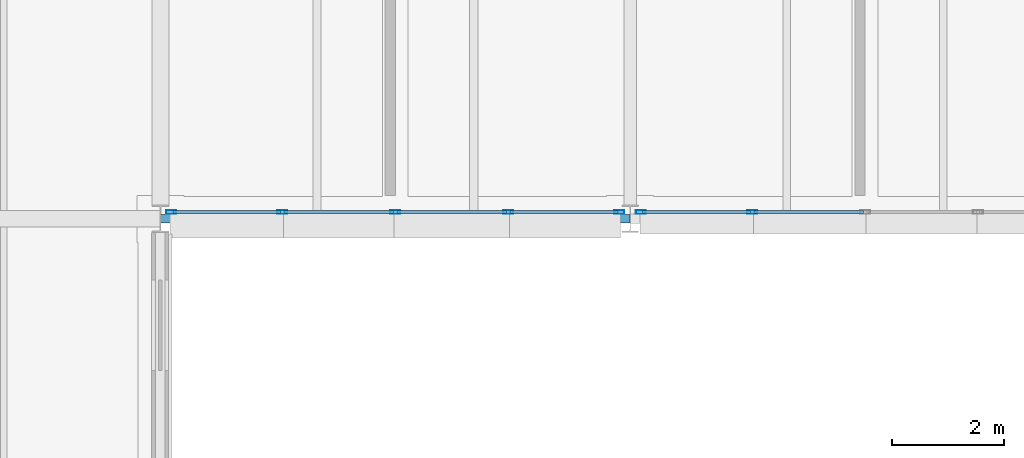
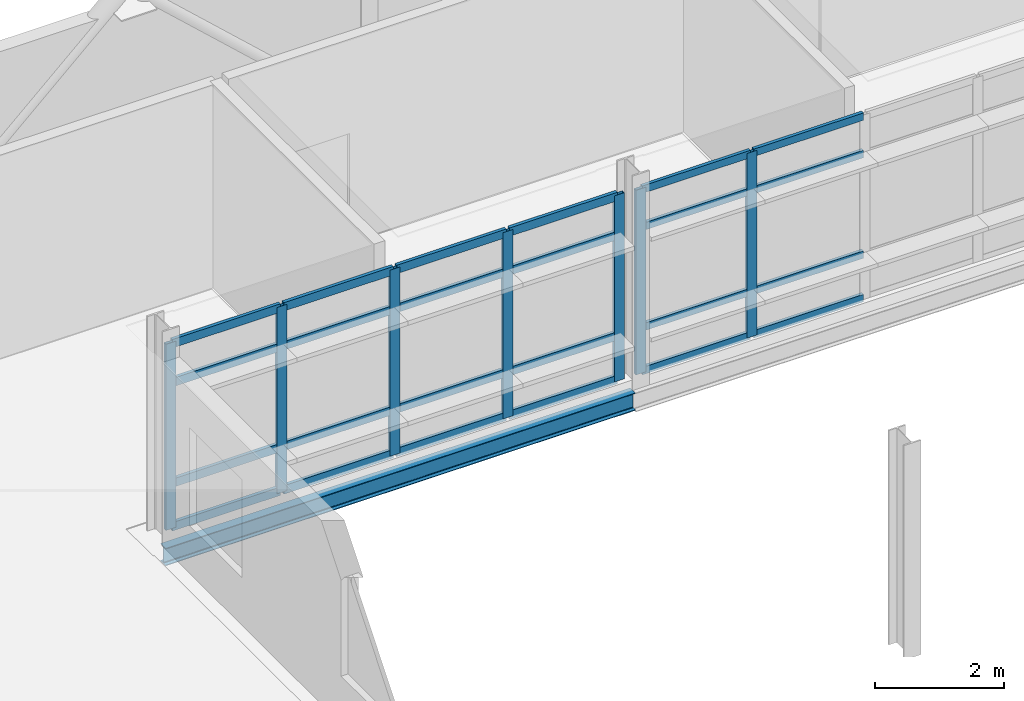
# One storey, part 53 of 151: 31 members, 1 beam, 2 elements without a shape of their own.
"""IFC4 building model written with IfcOpenShell, lengths in metres."""

import ifcopenshell
import ifcopenshell.guid

model = None  # the IFC model being written
_history = None  # IfcOwnerHistory: only IFC2X3 demands one
_inside = {}  # id of a spatial element -> (the spatial element, [elements in it])
_under = {}  # id of a project, library or spatial element -> (it, [spatial elements below it])
_declared = {}  # id of a project -> (the project, [libraries it declares])
_typed = {}  # id of a type object -> (the type object, [elements of that type])
_made_of = {}  # id of a material, layer set ... -> (it, [elements and type objects made of it])


def new_model(schema):
    """Start an empty IFC model of exactly this schema.

    Asked for "IFC4X3", IfcOpenShell would pick the latest addendum, in which some entities
    have other attributes; the version numbers below select the first issue.
    IFC2X3 requires an IfcOwnerHistory on every rooted entity: one is made here for all.
    """
    global model, _history
    if schema == "IFC4X3":
        model = ifcopenshell.file(schema_version=(4, 3, 0, 0))
    else:
        model = ifcopenshell.file(schema=schema)
    _inside.clear()
    _under.clear()
    _declared.clear()
    _typed.clear()
    _made_of.clear()
    _history = None
    if model.schema == "IFC2X3":
        org = make("IfcOrganization", Name="unknown")
        user = make(
            "IfcPersonAndOrganization",
            ThePerson=make("IfcPerson", FamilyName="unknown"),
            TheOrganization=org,
        )
        app = make(
            "IfcApplication",
            ApplicationDeveloper=org,
            Version="unknown",
            ApplicationFullName="unknown",
            ApplicationIdentifier="unknown",
        )
        _history = make(
            "IfcOwnerHistory",
            OwningUser=user,
            OwningApplication=app,
            ChangeAction="ADDED",
            CreationDate=0,
        )
    return model


def make(cls, **values):
    """One entity of the class cls with the attributes given. An attribute that is None is left unset."""
    return model.create_entity(
        cls, **{name: value for name, value in values.items() if value is not None}
    )


def rooted(cls, **values):
    """An entity with a GlobalId (a new one), such as an element, a storey or a relation."""
    return make(cls, GlobalId=ifcopenshell.guid.new(), OwnerHistory=_history, **values)


def si_unit(unit_type, name, prefix=None):
    """IfcSIUnit, for example si_unit("LENGTHUNIT", "METRE", prefix="MILLI")."""
    return make("IfcSIUnit", UnitType=unit_type, Prefix=prefix, Name=name)


def assignment(units):
    """IfcUnitAssignment: the units of a project."""
    return None if units is None else make("IfcUnitAssignment", Units=units)


def point(xyz):
    """IfcCartesianPoint."""
    return None if xyz is None else make("IfcCartesianPoint", Coordinates=xyz)


def direction(xyz):
    """IfcDirection."""
    return None if xyz is None else make("IfcDirection", DirectionRatios=xyz)


def frame(location, z_axis=None, x_axis=None):
    """IfcAxis2Placement3D, a coordinate frame: its origin and axes. An axis left out is left unset."""
    return make(
        "IfcAxis2Placement3D",
        Location=point(location),
        Axis=direction(z_axis),
        RefDirection=direction(x_axis),
    )


def frame_2d(location, x_axis=None):
    """IfcAxis2Placement2D, a coordinate frame in the plane: its origin and x axis."""
    return make(
        "IfcAxis2Placement2D", Location=point(location), RefDirection=direction(x_axis)
    )


def origin():
    """The frame at (0, 0, 0) with its axes left unset."""
    return frame((0.0, 0.0, 0.0))


def origin_2d():
    """The frame at (0, 0) in the plane with its x axis left unset."""
    return frame_2d((0.0, 0.0))


def place(relative_to, where):
    """IfcLocalPlacement: puts the frame where relative to a parent placement (None: the world)."""
    return make(
        "IfcLocalPlacement", PlacementRelTo=relative_to, RelativePlacement=where
    )


def context(
    kind, dimensions, precision=None, world=None, true_north=None, identifier=None
):
    """IfcGeometricRepresentationContext, for example the 3D "Model" context."""
    return make(
        "IfcGeometricRepresentationContext",
        ContextIdentifier=identifier,
        ContextType=kind,
        CoordinateSpaceDimension=dimensions,
        Precision=precision,
        WorldCoordinateSystem=world,
        TrueNorth=true_north,
    )


def subcontext(parent, identifier, kind, view, scale=None):
    """IfcGeometricRepresentationSubContext, for example "Body" below "Model"."""
    return make(
        "IfcGeometricRepresentationSubContext",
        ContextIdentifier=identifier,
        ContextType=kind,
        ParentContext=parent,
        TargetScale=scale,
        TargetView=view,
    )


def project(units=None, contexts=None):
    """IfcProject with its units and contexts."""
    return rooted(
        "IfcProject",
        Name="project",
        RepresentationContexts=contexts,
        UnitsInContext=assignment(units),
    )


def spatial(cls, under=None, at=None, **own):
    """A site, building, storey or space (cls), placed at a placement, below another one or the project."""
    s = rooted(cls, ObjectPlacement=at, **own)
    if under is not None:
        _under.setdefault(under.id(), (under, []))[1].append(s)
    return s


def profile(cls, at=None, kind="AREA", **sizes):
    """A parametric profile (cls). Its sizes go by their IFC names, for example OverallWidth=200.0."""
    return make(cls, ProfileType=kind, Position=at, **sizes)


def hollow_rectangle(**sizes):
    """IfcRectangleHollowProfileDef."""
    return profile("IfcRectangleHollowProfileDef", **sizes)


def i_section(**sizes):
    """IfcIShapeProfileDef."""
    return profile("IfcIShapeProfileDef", **sizes)


def extrude(swept, where, along, depth):
    """IfcExtrudedAreaSolid: the profile swept, set in the frame where, extruded along a direction by depth."""
    return make(
        "IfcExtrudedAreaSolid",
        SweptArea=swept,
        Position=where,
        ExtrudedDirection=direction(along),
        Depth=depth,
    )


def shape(context_of_items, identifier, shape_type, items):
    """IfcShapeRepresentation: the items that make up one representation, for example the "Body"."""
    return make(
        "IfcShapeRepresentation",
        ContextOfItems=context_of_items,
        RepresentationIdentifier=identifier,
        RepresentationType=shape_type,
        Items=items,
    )


def material(Name=None, Category=None):
    """IfcMaterial."""
    return make("IfcMaterial", Name=Name, Category=Category)


def material_profile(
    of_material, cross_section, Name=None, Category=None, Priority=None
):
    """IfcMaterialProfile: a cross section and its material."""
    return make(
        "IfcMaterialProfile",
        Name=Name,
        Material=of_material,
        Profile=cross_section,
        Priority=Priority,
        Category=Category,
    )


def profile_set(profiles, Name=None, composite=None):
    """IfcMaterialProfileSet."""
    return make(
        "IfcMaterialProfileSet",
        Name=Name,
        MaterialProfiles=profiles,
        CompositeProfile=composite,
    )


def made_of(thing, what):
    """Note that an element or type object is made of a material, layer set ...; save() writes the relation."""
    if what is not None:
        _made_of.setdefault(what.id(), (what, []))[1].append(thing)
    return thing


def type_object(cls, material=None, **own):
    """A type object (cls), such as IfcWallType, which elements share."""
    return made_of(rooted(cls, **own), material)


def element(
    cls,
    number,
    at=None,
    inside=None,
    cuts=None,
    type_object=None,
    material=None,
    context=None,
    identifier="Body",
    shape_type=None,
    held_by="IfcProductDefinitionShape",
    body=None,
    shapes=None,
    **own,
):
    """One element of the class cls, such as IfcWall. Its Tag is "e" and its number.

    at: its placement. inside: the storey or other place that contains it. cuts: it is an
    opening in that element (IfcRelVoidsElement). A single representation is given by context,
    identifier, shape_type and body (its items); several are given by shapes. held_by: the class
    of the entity that holds the representations. save() writes the other relations.
    """
    e = rooted(cls, Tag="e%d" % number, ObjectPlacement=at, **own)
    if body is not None:
        shapes = [shape(context, identifier, shape_type, body)]
    if shapes is not None:
        e.Representation = make(held_by, Representations=shapes)
    if inside is not None:
        _inside.setdefault(inside.id(), (inside, []))[1].append(e)
    if cuts is not None:
        rooted(
            "IfcRelVoidsElement", RelatingBuildingElement=cuts, RelatedOpeningElement=e
        )
    if type_object is not None:
        _typed.setdefault(type_object.id(), (type_object, []))[1].append(e)
    return made_of(e, material)


def aggregate(whole, parts):
    """IfcRelAggregates: a whole, such as a stair, and the parts it consists of."""
    return rooted("IfcRelAggregates", RelatingObject=whole, RelatedObjects=parts)


def save(model, path):
    """Write the relations noted so far, then the file.

    IfcRelAggregates (storeys below a building ...), IfcRelContainedInSpatialStructure (elements
    in a storey), IfcRelDefinesByType, IfcRelAssociatesMaterial and IfcRelDeclares: one each for
    every whole, place, type object, material and project.
    """
    for whole, parts in _under.values():
        aggregate(whole, parts)
    for where, things in _inside.values():
        rooted(
            "IfcRelContainedInSpatialStructure",
            RelatedElements=things,
            RelatingStructure=where,
        )
    for kind, things in _typed.values():
        rooted("IfcRelDefinesByType", RelatedObjects=things, RelatingType=kind)
    for what, things in _made_of.values():
        rooted("IfcRelAssociatesMaterial", RelatedObjects=things, RelatingMaterial=what)
    for by, libraries in _declared.values():
        rooted("IfcRelDeclares", RelatingContext=by, RelatedDefinitions=libraries)
    model.write(path)


model = new_model("IFC4")

# Units and contexts
model_context = context("Model", 3, precision=1e-05, world=origin(), true_north=direction((0.0, 1.0)))
body_context = subcontext(model_context, "Body", "Model", "MODEL_VIEW")
ifc_project = project(units=[si_unit("LENGTHUNIT", "METRE"), si_unit("AREAUNIT", "SQUARE_METRE"), si_unit("VOLUMEUNIT", "CUBIC_METRE"), si_unit("PLANEANGLEUNIT", "RADIAN"), si_unit("MASSUNIT", "GRAM", prefix="KILO")], contexts=[model_context])

# Site, building, storey
site_placement = place(None, origin())
site = spatial("IfcSite", under=ifc_project, at=site_placement, CompositionType="ELEMENT")
building_placement = place(site_placement, origin())
building = spatial("IfcBuilding", under=site, at=building_placement, Name="Mersafa Astral City Hall", CompositionType="ELEMENT")
storey_placement = place(building_placement, frame((0.0, 0.0, 9.89990234375)))
storey = spatial("IfcBuildingStorey", under=building, at=storey_placement, Name="L02", CompositionType="ELEMENT", Elevation=9.89990234375)

# Curtain wall, members
ifc_material_1 = material(Name="Anodised bronze aluminium framing", Category="aluminium")
curtain_wall_type_1 = type_object("IfcCurtainWallType", Name="ENV-CW-1", PredefinedType="USERDEFINED", material=ifc_material_1)
curtain_wall_1_placement = place(storey_placement, origin())
curtain_wall_1 = element("IfcCurtainWall", 1, at=curtain_wall_1_placement, inside=storey, type_object=curtain_wall_type_1, Name="L02 Unitised solar curtain wall 138", ObjectType="UNITISED CURTAIN WALL", PredefinedType="USERDEFINED")
ifc_material_profile_1 = material_profile(ifc_material_1, hollow_rectangle(XDim=0.06005859375, YDim=0.179931640625, WallThickness=0.00390625, at=origin_2d()), Name="RHS 60x180x4")
ifc_profile_set_1 = profile_set([ifc_material_profile_1], Name="Anodised bronze aluminium framing")
member_type_1 = type_object("IfcMemberType", Name="ENV-CW-MUL-1", PredefinedType="MULLION", material=ifc_profile_set_1)
member_1_placement = place(storey_placement, frame((58.991943359375, 117.719970703125, -0.001953125), z_axis=(0.0, 0.0, 1.0), x_axis=(0.0, 1.0, 0.0)))
member_1 = element("IfcMember", 2, at=member_1_placement, type_object=member_type_1, Name="CW-1 mullion 1", PredefinedType="MULLION", context=body_context, shape_type="SweptSolid", body=[
    extrude(hollow_rectangle(XDim=0.06005859375, YDim=0.179931640625, WallThickness=0.00390625, at=origin_2d()), origin(), (0.0, 0.0, 1.0), 3.51904296875),
])
member_2_placement = place(storey_placement, frame((60.98095703125, 117.719970703125, -0.001953125), z_axis=(0.0, 0.0, 1.0), x_axis=(0.0, 1.0, 0.0)))
member_2 = element("IfcMember", 3, at=member_2_placement, type_object=member_type_1, Name="CW-1 mullion 2", PredefinedType="MULLION", context=body_context, shape_type="SweptSolid", body=[
    extrude(hollow_rectangle(XDim=0.06005859375, YDim=0.179931640625, WallThickness=0.00390625, at=origin_2d()), origin(), (0.0, 0.0, 1.0), 3.51904296875),
])
member_3_placement = place(storey_placement, frame((63.0, 117.719970703125, -0.001953125), z_axis=(0.0, 0.0, 1.0), x_axis=(0.0, 1.0, 0.0)))
member_3 = element("IfcMember", 4, at=member_3_placement, type_object=member_type_1, Name="CW-1 mullion 3", PredefinedType="MULLION", context=body_context, shape_type="SweptSolid", body=[
    extrude(hollow_rectangle(XDim=0.06005859375, YDim=0.179931640625, WallThickness=0.00390625, at=origin_2d()), origin(), (0.0, 0.0, 1.0), 3.51904296875),
])
member_4_placement = place(storey_placement, frame((65.01904296875, 117.719970703125, -0.001953125), z_axis=(0.0, 0.0, 1.0), x_axis=(0.0, 1.0, 0.0)))
member_4 = element("IfcMember", 5, at=member_4_placement, type_object=member_type_1, Name="CW-1 mullion 4", PredefinedType="MULLION", context=body_context, shape_type="SweptSolid", body=[
    extrude(hollow_rectangle(XDim=0.06005859375, YDim=0.179931640625, WallThickness=0.00390625, at=origin_2d()), origin(), (0.0, 0.0, 1.0), 3.51904296875),
])
member_5_placement = place(storey_placement, frame((67.008056640625, 117.719970703125, -0.001953125), z_axis=(0.0, 0.0, 1.0), x_axis=(0.0, 1.0, 0.0)))
member_5 = element("IfcMember", 6, at=member_5_placement, type_object=member_type_1, Name="CW-1 mullion 5", PredefinedType="MULLION", context=body_context, shape_type="SweptSolid", body=[
    extrude(hollow_rectangle(XDim=0.06005859375, YDim=0.179931640625, WallThickness=0.00390625, at=origin_2d()), origin(), (0.0, 0.0, 1.0), 3.51904296875),
])

curtain_wall_type_2 = type_object("IfcCurtainWallType", Name="ENV-CW-2", PredefinedType="USERDEFINED", material=ifc_material_1)
curtain_wall_2_placement = place(storey_placement, origin())
curtain_wall_2 = element("IfcCurtainWall", 7, at=curtain_wall_2_placement, inside=storey, type_object=curtain_wall_type_2, Name="L02 Unitised solar curtain wall 139", ObjectType="UNITISED CURTAIN WALL", PredefinedType="USERDEFINED")
member_6_placement = place(storey_placement, frame((67.39208984375, 117.719970703125, -0.001953125), z_axis=(0.0, 0.0, 1.0), x_axis=(0.0, 1.0, 0.0)))
member_6 = element("IfcMember", 8, at=member_6_placement, type_object=member_type_1, Name="CW-2 mullion 1", PredefinedType="MULLION", context=body_context, shape_type="SweptSolid", body=[
    extrude(hollow_rectangle(XDim=0.06005859375, YDim=0.179931640625, WallThickness=0.00390625, at=origin_2d()), origin(), (0.0, 0.0, 1.0), 3.489013671875),
])
member_7_placement = place(storey_placement, frame((69.381103515625, 117.719970703125, -0.001953125), z_axis=(0.0, 0.0, 1.0), x_axis=(0.0, 1.0, 0.0)))
member_7 = element("IfcMember", 9, at=member_7_placement, type_object=member_type_1, Name="CW-2 mullion 2", PredefinedType="MULLION", context=body_context, shape_type="SweptSolid", body=[
    extrude(hollow_rectangle(XDim=0.06005859375, YDim=0.179931640625, WallThickness=0.00390625, at=origin_2d()), origin(), (0.0, 0.0, 1.0), 3.489013671875),
])
ifc_material_profile_2 = material_profile(ifc_material_1, hollow_rectangle(XDim=0.06005859375, YDim=0.139892578125, WallThickness=0.00390625, at=origin_2d()), Name="RHS 60x140x4")
ifc_profile_set_2 = profile_set([ifc_material_profile_2], Name="Anodised bronze aluminium framing")
member_type_2 = type_object("IfcMemberType", Name="ENV-CW-TRN-1", PredefinedType="USERDEFINED", material=ifc_profile_set_2)
member_8_placement = place(storey_placement, frame((67.422119140625, 117.719970703125, 0.028076171875), z_axis=(1.0, 0.0, 0.0), x_axis=(0.0, 1.0, 0.0)))
member_8 = element("IfcMember", 10, at=member_8_placement, type_object=member_type_2, Name="CW-2 transom 1.1", ObjectType="TRANSOM", PredefinedType="USERDEFINED", context=body_context, shape_type="SweptSolid", body=[
    extrude(hollow_rectangle(XDim=0.06005859375, YDim=0.139892578125, WallThickness=0.00390625, at=origin_2d()), origin(), (0.0, 0.0, 1.0), 1.928955078125),
])
member_9_placement = place(storey_placement, frame((67.422119140625, 117.719970703125, 0.85009765625), z_axis=(1.0, 0.0, 0.0), x_axis=(0.0, 1.0, 0.0)))
member_9 = element("IfcMember", 11, at=member_9_placement, type_object=member_type_2, Name="CW-2 transom 1.2", ObjectType="TRANSOM", PredefinedType="USERDEFINED", context=body_context, shape_type="SweptSolid", body=[
    extrude(hollow_rectangle(XDim=0.06005859375, YDim=0.139892578125, WallThickness=0.00390625, at=origin_2d()), origin(), (0.0, 0.0, 1.0), 1.928955078125),
])
member_10_placement = place(storey_placement, frame((67.422119140625, 117.719970703125, 2.75), z_axis=(1.0, 0.0, 0.0), x_axis=(0.0, 1.0, 0.0)))
member_10 = element("IfcMember", 12, at=member_10_placement, type_object=member_type_2, Name="CW-2 transom 1.3", ObjectType="TRANSOM", PredefinedType="USERDEFINED", context=body_context, shape_type="SweptSolid", body=[
    extrude(hollow_rectangle(XDim=0.06005859375, YDim=0.139892578125, WallThickness=0.00390625, at=origin_2d()), origin(), (0.0, 0.0, 1.0), 1.928955078125),
])
member_11_placement = place(storey_placement, frame((67.422119140625, 117.719970703125, 3.45703125), z_axis=(1.0, 0.0, 0.0), x_axis=(0.0, 1.0, 0.0)))
member_11 = element("IfcMember", 13, at=member_11_placement, type_object=member_type_2, Name="CW-2 transom 1.4", ObjectType="TRANSOM", PredefinedType="USERDEFINED", context=body_context, shape_type="SweptSolid", body=[
    extrude(hollow_rectangle(XDim=0.06005859375, YDim=0.139892578125, WallThickness=0.00390625, at=origin_2d()), origin(), (0.0, 0.0, 1.0), 1.928955078125),
])
member_12_placement = place(storey_placement, frame((69.410888671875, 117.719970703125, 0.028076171875), z_axis=(1.0, 0.0, 0.0), x_axis=(0.0, 1.0, 0.0)))
member_12 = element("IfcMember", 14, at=member_12_placement, type_object=member_type_2, Name="CW-2 transom 2.1", ObjectType="TRANSOM", PredefinedType="USERDEFINED", context=body_context, shape_type="SweptSolid", body=[
    extrude(hollow_rectangle(XDim=0.06005859375, YDim=0.139892578125, WallThickness=0.00390625, at=origin_2d()), origin(), (0.0, 0.0, 1.0), 1.959228515625),
])
member_13_placement = place(storey_placement, frame((69.410888671875, 117.719970703125, 0.85009765625), z_axis=(1.0, 0.0, 0.0), x_axis=(0.0, 1.0, 0.0)))
member_13 = element("IfcMember", 15, at=member_13_placement, type_object=member_type_2, Name="CW-2 transom 2.2", ObjectType="TRANSOM", PredefinedType="USERDEFINED", context=body_context, shape_type="SweptSolid", body=[
    extrude(hollow_rectangle(XDim=0.06005859375, YDim=0.139892578125, WallThickness=0.00390625, at=origin_2d()), origin(), (0.0, 0.0, 1.0), 1.959228515625),
])
member_14_placement = place(storey_placement, frame((69.410888671875, 117.719970703125, 2.75), z_axis=(1.0, 0.0, 0.0), x_axis=(0.0, 1.0, 0.0)))
member_14 = element("IfcMember", 16, at=member_14_placement, type_object=member_type_2, Name="CW-2 transom 2.3", ObjectType="TRANSOM", PredefinedType="USERDEFINED", context=body_context, shape_type="SweptSolid", body=[
    extrude(hollow_rectangle(XDim=0.06005859375, YDim=0.139892578125, WallThickness=0.00390625, at=origin_2d()), origin(), (0.0, 0.0, 1.0), 1.959228515625),
])
member_15_placement = place(storey_placement, frame((69.410888671875, 117.719970703125, 3.45703125), z_axis=(1.0, 0.0, 0.0), x_axis=(0.0, 1.0, 0.0)))
member_15 = element("IfcMember", 17, at=member_15_placement, type_object=member_type_2, Name="CW-2 transom 2.4", ObjectType="TRANSOM", PredefinedType="USERDEFINED", context=body_context, shape_type="SweptSolid", body=[
    extrude(hollow_rectangle(XDim=0.06005859375, YDim=0.139892578125, WallThickness=0.00390625, at=origin_2d()), origin(), (0.0, 0.0, 1.0), 1.959228515625),
])
aggregate(curtain_wall_2, [member_6, member_7, member_8, member_9, member_10, member_11, member_12, member_13, member_14, member_15])

# Member
ifc_material_profile_3 = material_profile(ifc_material_1, hollow_rectangle(XDim=0.06005859375, YDim=0.159912109375, WallThickness=0.00390625, at=origin_2d()), Name="RHS 60x160x4")
ifc_profile_set_3 = profile_set([ifc_material_profile_3], Name="Anodised bronze aluminium framing")
member_type_3 = type_object("IfcMemberType", Name="ENV-CW-TRN-2", PredefinedType="USERDEFINED", material=ifc_profile_set_3)
member_16_placement = place(storey_placement, frame((59.02197265625, 117.719970703125, 0.028076171875), z_axis=(1.0, 0.0, 0.0), x_axis=(0.0, 1.0, 0.0)))
member_16 = element("IfcMember", 18, at=member_16_placement, type_object=member_type_3, Name="CW-1 transom 1.1", ObjectType="TRANSOM", PredefinedType="USERDEFINED", context=body_context, shape_type="SweptSolid", body=[
    extrude(hollow_rectangle(XDim=0.06005859375, YDim=0.159912109375, WallThickness=0.00390625, at=origin_2d()), origin(), (0.0, 0.0, 1.0), 1.928955078125),
])

member_17_placement = place(storey_placement, frame((59.02197265625, 117.719970703125, 0.85009765625), z_axis=(1.0, 0.0, 0.0), x_axis=(0.0, 1.0, 0.0)))
member_17 = element("IfcMember", 19, at=member_17_placement, type_object=member_type_3, Name="CW-1 transom 1.2", ObjectType="TRANSOM", PredefinedType="USERDEFINED", context=body_context, shape_type="SweptSolid", body=[
    extrude(hollow_rectangle(XDim=0.06005859375, YDim=0.159912109375, WallThickness=0.00390625, at=origin_2d()), origin(), (0.0, 0.0, 1.0), 1.928955078125),
])

member_18_placement = place(storey_placement, frame((59.02197265625, 117.719970703125, 2.75), z_axis=(1.0, 0.0, 0.0), x_axis=(0.0, 1.0, 0.0)))
member_18 = element("IfcMember", 20, at=member_18_placement, type_object=member_type_3, Name="CW-1 transom 1.3", ObjectType="TRANSOM", PredefinedType="USERDEFINED", context=body_context, shape_type="SweptSolid", body=[
    extrude(hollow_rectangle(XDim=0.06005859375, YDim=0.159912109375, WallThickness=0.00390625, at=origin_2d()), origin(), (0.0, 0.0, 1.0), 1.928955078125),
])

member_19_placement = place(storey_placement, frame((59.02197265625, 117.719970703125, 3.487060546875), z_axis=(1.0, 0.0, 0.0), x_axis=(0.0, 1.0, 0.0)))
member_19 = element("IfcMember", 21, at=member_19_placement, type_object=member_type_3, Name="CW-1 transom 1.4", ObjectType="TRANSOM", PredefinedType="USERDEFINED", context=body_context, shape_type="SweptSolid", body=[
    extrude(hollow_rectangle(XDim=0.06005859375, YDim=0.159912109375, WallThickness=0.00390625, at=origin_2d()), origin(), (0.0, 0.0, 1.0), 1.928955078125),
])

member_20_placement = place(storey_placement, frame((61.010986328125, 117.719970703125, 0.028076171875), z_axis=(1.0, 0.0, 0.0), x_axis=(0.0, 1.0, 0.0)))
member_20 = element("IfcMember", 22, at=member_20_placement, type_object=member_type_3, Name="CW-1 transom 2.1", ObjectType="TRANSOM", PredefinedType="USERDEFINED", context=body_context, shape_type="SweptSolid", body=[
    extrude(hollow_rectangle(XDim=0.06005859375, YDim=0.159912109375, WallThickness=0.00390625, at=origin_2d()), origin(), (0.0, 0.0, 1.0), 1.958984375),
])

member_21_placement = place(storey_placement, frame((61.010986328125, 117.719970703125, 0.85009765625), z_axis=(1.0, 0.0, 0.0), x_axis=(0.0, 1.0, 0.0)))
member_21 = element("IfcMember", 23, at=member_21_placement, type_object=member_type_3, Name="CW-1 transom 2.2", ObjectType="TRANSOM", PredefinedType="USERDEFINED", context=body_context, shape_type="SweptSolid", body=[
    extrude(hollow_rectangle(XDim=0.06005859375, YDim=0.159912109375, WallThickness=0.00390625, at=origin_2d()), origin(), (0.0, 0.0, 1.0), 1.958984375),
])

member_22_placement = place(storey_placement, frame((61.010986328125, 117.719970703125, 2.75), z_axis=(1.0, 0.0, 0.0), x_axis=(0.0, 1.0, 0.0)))
member_22 = element("IfcMember", 24, at=member_22_placement, type_object=member_type_3, Name="CW-1 transom 2.3", ObjectType="TRANSOM", PredefinedType="USERDEFINED", context=body_context, shape_type="SweptSolid", body=[
    extrude(hollow_rectangle(XDim=0.06005859375, YDim=0.159912109375, WallThickness=0.00390625, at=origin_2d()), origin(), (0.0, 0.0, 1.0), 1.958984375),
])

member_23_placement = place(storey_placement, frame((61.010986328125, 117.719970703125, 3.487060546875), z_axis=(1.0, 0.0, 0.0), x_axis=(0.0, 1.0, 0.0)))
member_23 = element("IfcMember", 25, at=member_23_placement, type_object=member_type_3, Name="CW-1 transom 2.4", ObjectType="TRANSOM", PredefinedType="USERDEFINED", context=body_context, shape_type="SweptSolid", body=[
    extrude(hollow_rectangle(XDim=0.06005859375, YDim=0.159912109375, WallThickness=0.00390625, at=origin_2d()), origin(), (0.0, 0.0, 1.0), 1.958984375),
])

member_24_placement = place(storey_placement, frame((63.030029296875, 117.719970703125, 0.028076171875), z_axis=(1.0, 0.0, 0.0), x_axis=(0.0, 1.0, 0.0)))
member_24 = element("IfcMember", 26, at=member_24_placement, type_object=member_type_3, Name="CW-1 transom 3.1", ObjectType="TRANSOM", PredefinedType="USERDEFINED", context=body_context, shape_type="SweptSolid", body=[
    extrude(hollow_rectangle(XDim=0.06005859375, YDim=0.159912109375, WallThickness=0.00390625, at=origin_2d()), origin(), (0.0, 0.0, 1.0), 1.958984375),
])

member_25_placement = place(storey_placement, frame((63.030029296875, 117.719970703125, 0.85009765625), z_axis=(1.0, 0.0, 0.0), x_axis=(0.0, 1.0, 0.0)))
member_25 = element("IfcMember", 27, at=member_25_placement, type_object=member_type_3, Name="CW-1 transom 3.2", ObjectType="TRANSOM", PredefinedType="USERDEFINED", context=body_context, shape_type="SweptSolid", body=[
    extrude(hollow_rectangle(XDim=0.06005859375, YDim=0.159912109375, WallThickness=0.00390625, at=origin_2d()), origin(), (0.0, 0.0, 1.0), 1.958984375),
])

member_26_placement = place(storey_placement, frame((63.030029296875, 117.719970703125, 2.75), z_axis=(1.0, 0.0, 0.0), x_axis=(0.0, 1.0, 0.0)))
member_26 = element("IfcMember", 28, at=member_26_placement, type_object=member_type_3, Name="CW-1 transom 3.3", ObjectType="TRANSOM", PredefinedType="USERDEFINED", context=body_context, shape_type="SweptSolid", body=[
    extrude(hollow_rectangle(XDim=0.06005859375, YDim=0.159912109375, WallThickness=0.00390625, at=origin_2d()), origin(), (0.0, 0.0, 1.0), 1.958984375),
])

member_27_placement = place(storey_placement, frame((63.030029296875, 117.719970703125, 3.487060546875), z_axis=(1.0, 0.0, 0.0), x_axis=(0.0, 1.0, 0.0)))
member_27 = element("IfcMember", 29, at=member_27_placement, type_object=member_type_3, Name="CW-1 transom 3.4", ObjectType="TRANSOM", PredefinedType="USERDEFINED", context=body_context, shape_type="SweptSolid", body=[
    extrude(hollow_rectangle(XDim=0.06005859375, YDim=0.159912109375, WallThickness=0.00390625, at=origin_2d()), origin(), (0.0, 0.0, 1.0), 1.958984375),
])

member_28_placement = place(storey_placement, frame((65.049072265625, 117.719970703125, 0.028076171875), z_axis=(1.0, 0.0, 0.0), x_axis=(0.0, 1.0, 0.0)))
member_28 = element("IfcMember", 30, at=member_28_placement, type_object=member_type_3, Name="CW-1 transom 4.1", ObjectType="TRANSOM", PredefinedType="USERDEFINED", context=body_context, shape_type="SweptSolid", body=[
    extrude(hollow_rectangle(XDim=0.06005859375, YDim=0.159912109375, WallThickness=0.00390625, at=origin_2d()), origin(), (0.0, 0.0, 1.0), 1.928955078125),
])

member_29_placement = place(storey_placement, frame((65.049072265625, 117.719970703125, 0.85009765625), z_axis=(1.0, 0.0, 0.0), x_axis=(0.0, 1.0, 0.0)))
member_29 = element("IfcMember", 31, at=member_29_placement, type_object=member_type_3, Name="CW-1 transom 4.2", ObjectType="TRANSOM", PredefinedType="USERDEFINED", context=body_context, shape_type="SweptSolid", body=[
    extrude(hollow_rectangle(XDim=0.06005859375, YDim=0.159912109375, WallThickness=0.00390625, at=origin_2d()), origin(), (0.0, 0.0, 1.0), 1.928955078125),
])

member_30_placement = place(storey_placement, frame((65.049072265625, 117.719970703125, 2.75), z_axis=(1.0, 0.0, 0.0), x_axis=(0.0, 1.0, 0.0)))
member_30 = element("IfcMember", 32, at=member_30_placement, type_object=member_type_3, Name="CW-1 transom 4.3", ObjectType="TRANSOM", PredefinedType="USERDEFINED", context=body_context, shape_type="SweptSolid", body=[
    extrude(hollow_rectangle(XDim=0.06005859375, YDim=0.159912109375, WallThickness=0.00390625, at=origin_2d()), origin(), (0.0, 0.0, 1.0), 1.928955078125),
])

member_31_placement = place(storey_placement, frame((65.049072265625, 117.719970703125, 3.487060546875), z_axis=(1.0, 0.0, 0.0), x_axis=(0.0, 1.0, 0.0)))
member_31 = element("IfcMember", 33, at=member_31_placement, type_object=member_type_3, Name="CW-1 transom 4.4", ObjectType="TRANSOM", PredefinedType="USERDEFINED", context=body_context, shape_type="SweptSolid", body=[
    extrude(hollow_rectangle(XDim=0.06005859375, YDim=0.159912109375, WallThickness=0.00390625, at=origin_2d()), origin(), (0.0, 0.0, 1.0), 1.928955078125),
])

aggregate(curtain_wall_1, [member_1, member_2, member_3, member_4, member_5, member_16, member_17, member_18, member_19, member_20, member_21, member_22, member_23, member_24, member_25, member_26, member_27, member_28, member_29, member_30, member_31])

# Beam
ifc_material_2 = material(Name="Steel S355", Category="steel")
ifc_material_profile_4 = material_profile(ifc_material_2, i_section(OverallWidth=0.159912109375, OverallDepth=0.330078125, WebThickness=0.007568359375, FlangeThickness=0.011474609375, FilletRadius=0.01806640625, at=origin_2d()), Name="IPE 330")
ifc_profile_set_4 = profile_set([ifc_material_profile_4], Name="Steel S355")
beam_type = type_object("IfcBeamType", Name="STR-BM-SPANDREL-IPE330", PredefinedType="SPANDREL", material=ifc_profile_set_4)
beam_placement = place(storey_placement, frame((58.802978515625, 117.60009765625, -0.364990234375), z_axis=(1.0, 0.0, 0.0), x_axis=(0.0, 1.0, 0.0)))
element("IfcBeam", 34, at=beam_placement, inside=storey, type_object=beam_type, Name="L02 Primary girder X 7-14", PredefinedType="SPANDREL", context=body_context, shape_type="SweptSolid", body=[
    extrude(i_section(OverallWidth=0.159912109375, OverallDepth=0.330078125, WebThickness=0.007568359375, FlangeThickness=0.011474609375, FilletRadius=0.01806640625, at=origin_2d()), origin(), (0.0, 0.0, 1.0), 8.39404296875),
])

save(model, "model.ifc")
